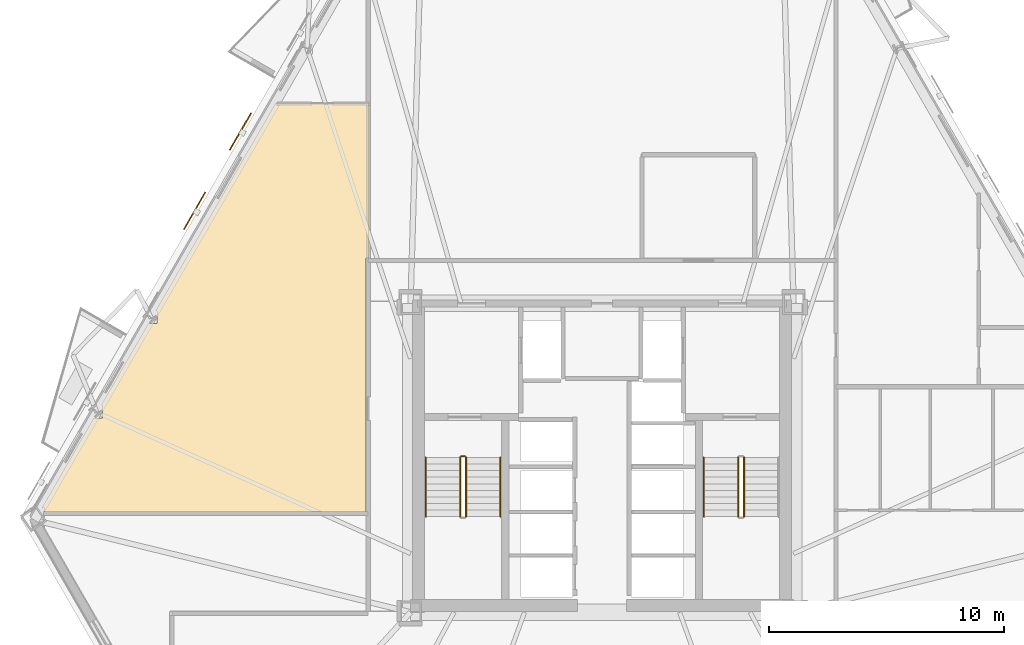
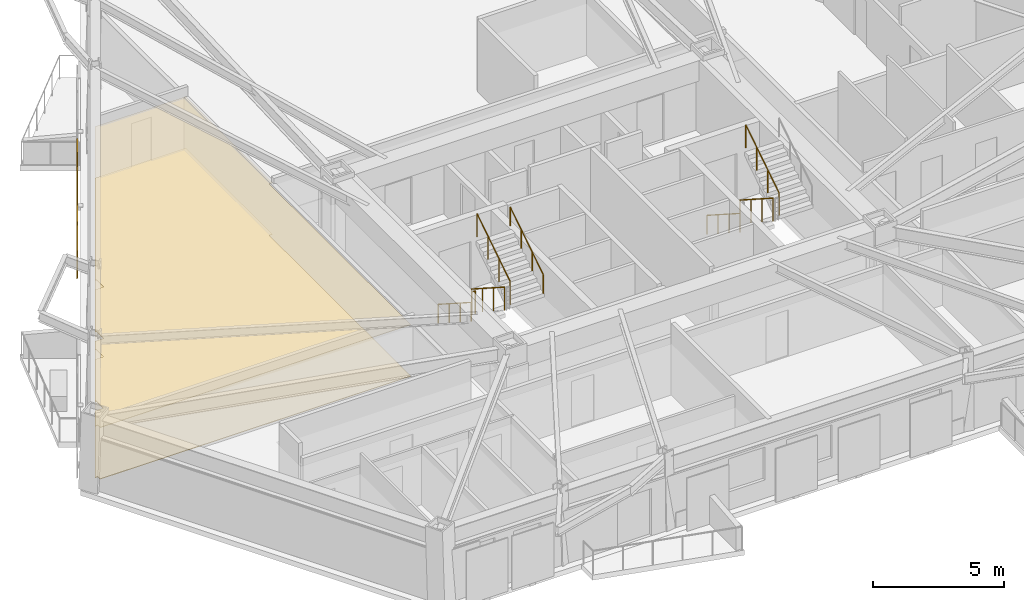
# One storey, part 11 of 13: 8 railings, 2 coverings, 2 shading devices.
"""IFC4 building model written with IfcOpenShell, lengths in metres."""

import ifcopenshell
import ifcopenshell.guid

model = None  # the IFC model being written
_history = None  # IfcOwnerHistory: only IFC2X3 demands one
_inside = {}  # id of a spatial element -> (the spatial element, [elements in it])
_under = {}  # id of a project, library or spatial element -> (it, [spatial elements below it])
_declared = {}  # id of a project -> (the project, [libraries it declares])
_typed = {}  # id of a type object -> (the type object, [elements of that type])
_made_of = {}  # id of a material, layer set ... -> (it, [elements and type objects made of it])


def new_model(schema):
    """Start an empty IFC model of exactly this schema.

    Asked for "IFC4X3", IfcOpenShell would pick the latest addendum, in which some entities
    have other attributes; the version numbers below select the first issue.
    IFC2X3 requires an IfcOwnerHistory on every rooted entity: one is made here for all.
    """
    global model, _history
    if schema == "IFC4X3":
        model = ifcopenshell.file(schema_version=(4, 3, 0, 0))
    else:
        model = ifcopenshell.file(schema=schema)
    _inside.clear()
    _under.clear()
    _declared.clear()
    _typed.clear()
    _made_of.clear()
    _history = None
    if model.schema == "IFC2X3":
        org = make("IfcOrganization", Name="unknown")
        user = make(
            "IfcPersonAndOrganization",
            ThePerson=make("IfcPerson", FamilyName="unknown"),
            TheOrganization=org,
        )
        app = make(
            "IfcApplication",
            ApplicationDeveloper=org,
            Version="unknown",
            ApplicationFullName="unknown",
            ApplicationIdentifier="unknown",
        )
        _history = make(
            "IfcOwnerHistory",
            OwningUser=user,
            OwningApplication=app,
            ChangeAction="ADDED",
            CreationDate=0,
        )
    return model


def make(cls, **values):
    """One entity of the class cls with the attributes given. An attribute that is None is left unset."""
    return model.create_entity(
        cls, **{name: value for name, value in values.items() if value is not None}
    )


def rooted(cls, **values):
    """An entity with a GlobalId (a new one), such as an element, a storey or a relation."""
    return make(cls, GlobalId=ifcopenshell.guid.new(), OwnerHistory=_history, **values)


def si_unit(unit_type, name, prefix=None):
    """IfcSIUnit, for example si_unit("LENGTHUNIT", "METRE", prefix="MILLI")."""
    return make("IfcSIUnit", UnitType=unit_type, Prefix=prefix, Name=name)


def assignment(units):
    """IfcUnitAssignment: the units of a project."""
    return None if units is None else make("IfcUnitAssignment", Units=units)


def point(xyz):
    """IfcCartesianPoint."""
    return None if xyz is None else make("IfcCartesianPoint", Coordinates=xyz)


def direction(xyz):
    """IfcDirection."""
    return None if xyz is None else make("IfcDirection", DirectionRatios=xyz)


def frame(location, z_axis=None, x_axis=None):
    """IfcAxis2Placement3D, a coordinate frame: its origin and axes. An axis left out is left unset."""
    return make(
        "IfcAxis2Placement3D",
        Location=point(location),
        Axis=direction(z_axis),
        RefDirection=direction(x_axis),
    )


def frame_2d(location, x_axis=None):
    """IfcAxis2Placement2D, a coordinate frame in the plane: its origin and x axis."""
    return make(
        "IfcAxis2Placement2D", Location=point(location), RefDirection=direction(x_axis)
    )


def origin():
    """The frame at (0, 0, 0) with its axes left unset."""
    return frame((0.0, 0.0, 0.0))


def origin_2d():
    """The frame at (0, 0) in the plane with its x axis left unset."""
    return frame_2d((0.0, 0.0))


def place(relative_to, where):
    """IfcLocalPlacement: puts the frame where relative to a parent placement (None: the world)."""
    return make(
        "IfcLocalPlacement", PlacementRelTo=relative_to, RelativePlacement=where
    )


def context(
    kind, dimensions, precision=None, world=None, true_north=None, identifier=None
):
    """IfcGeometricRepresentationContext, for example the 3D "Model" context."""
    return make(
        "IfcGeometricRepresentationContext",
        ContextIdentifier=identifier,
        ContextType=kind,
        CoordinateSpaceDimension=dimensions,
        Precision=precision,
        WorldCoordinateSystem=world,
        TrueNorth=true_north,
    )


def subcontext(parent, identifier, kind, view, scale=None):
    """IfcGeometricRepresentationSubContext, for example "Body" below "Model"."""
    return make(
        "IfcGeometricRepresentationSubContext",
        ContextIdentifier=identifier,
        ContextType=kind,
        ParentContext=parent,
        TargetScale=scale,
        TargetView=view,
    )


def project(units=None, contexts=None):
    """IfcProject with its units and contexts."""
    return rooted(
        "IfcProject",
        Name="project",
        RepresentationContexts=contexts,
        UnitsInContext=assignment(units),
    )


def spatial(cls, under=None, at=None, **own):
    """A site, building, storey or space (cls), placed at a placement, below another one or the project."""
    s = rooted(cls, ObjectPlacement=at, **own)
    if under is not None:
        _under.setdefault(under.id(), (under, []))[1].append(s)
    return s


def polyline(points):
    """IfcPolyline through the points."""
    return make("IfcPolyline", Points=[point(p) for p in points])


def profile(cls, at=None, kind="AREA", **sizes):
    """A parametric profile (cls). Its sizes go by their IFC names, for example OverallWidth=200.0."""
    return make(cls, ProfileType=kind, Position=at, **sizes)


def rectangle(**sizes):
    """IfcRectangleProfileDef."""
    return profile("IfcRectangleProfileDef", **sizes)


def circle(**sizes):
    """IfcCircleProfileDef."""
    return profile("IfcCircleProfileDef", **sizes)


def outline(outer, holes=None, kind="AREA"):
    """IfcArbitraryClosedProfileDef: a profile drawn as a closed curve; with holes, ...WithVoids."""
    if holes is None:
        return make("IfcArbitraryClosedProfileDef", ProfileType=kind, OuterCurve=outer)
    return make(
        "IfcArbitraryProfileDefWithVoids",
        ProfileType=kind,
        OuterCurve=outer,
        InnerCurves=holes,
    )


def extrude(swept, where, along, depth):
    """IfcExtrudedAreaSolid: the profile swept, set in the frame where, extruded along a direction by depth."""
    return make(
        "IfcExtrudedAreaSolid",
        SweptArea=swept,
        Position=where,
        ExtrudedDirection=direction(along),
        Depth=depth,
    )


def shape(context_of_items, identifier, shape_type, items):
    """IfcShapeRepresentation: the items that make up one representation, for example the "Body"."""
    return make(
        "IfcShapeRepresentation",
        ContextOfItems=context_of_items,
        RepresentationIdentifier=identifier,
        RepresentationType=shape_type,
        Items=items,
    )


def material(Name=None, Category=None):
    """IfcMaterial."""
    return make("IfcMaterial", Name=Name, Category=Category)


def layer(
    of_material, thickness, ventilated=None, Name=None, Category=None, Priority=None
):
    """IfcMaterialLayer: one layer of a wall or slab, of a material (None: an air gap)."""
    return make(
        "IfcMaterialLayer",
        Material=of_material,
        LayerThickness=thickness,
        IsVentilated=ventilated,
        Name=Name,
        Category=Category,
        Priority=Priority,
    )


def layer_set(layers, Name=None):
    """IfcMaterialLayerSet."""
    return make("IfcMaterialLayerSet", MaterialLayers=layers, LayerSetName=Name)


def made_of(thing, what):
    """Note that an element or type object is made of a material, layer set ...; save() writes the relation."""
    if what is not None:
        _made_of.setdefault(what.id(), (what, []))[1].append(thing)
    return thing


def type_object(cls, material=None, **own):
    """A type object (cls), such as IfcWallType, which elements share."""
    return made_of(rooted(cls, **own), material)


def element(
    cls,
    number,
    at=None,
    inside=None,
    cuts=None,
    type_object=None,
    material=None,
    context=None,
    identifier="Body",
    shape_type=None,
    held_by="IfcProductDefinitionShape",
    body=None,
    shapes=None,
    **own,
):
    """One element of the class cls, such as IfcWall. Its Tag is "e" and its number.

    at: its placement. inside: the storey or other place that contains it. cuts: it is an
    opening in that element (IfcRelVoidsElement). A single representation is given by context,
    identifier, shape_type and body (its items); several are given by shapes. held_by: the class
    of the entity that holds the representations. save() writes the other relations.
    """
    e = rooted(cls, Tag="e%d" % number, ObjectPlacement=at, **own)
    if body is not None:
        shapes = [shape(context, identifier, shape_type, body)]
    if shapes is not None:
        e.Representation = make(held_by, Representations=shapes)
    if inside is not None:
        _inside.setdefault(inside.id(), (inside, []))[1].append(e)
    if cuts is not None:
        rooted(
            "IfcRelVoidsElement", RelatingBuildingElement=cuts, RelatedOpeningElement=e
        )
    if type_object is not None:
        _typed.setdefault(type_object.id(), (type_object, []))[1].append(e)
    return made_of(e, material)


def aggregate(whole, parts):
    """IfcRelAggregates: a whole, such as a stair, and the parts it consists of."""
    return rooted("IfcRelAggregates", RelatingObject=whole, RelatedObjects=parts)


def save(model, path):
    """Write the relations noted so far, then the file.

    IfcRelAggregates (storeys below a building ...), IfcRelContainedInSpatialStructure (elements
    in a storey), IfcRelDefinesByType, IfcRelAssociatesMaterial and IfcRelDeclares: one each for
    every whole, place, type object, material and project.
    """
    for whole, parts in _under.values():
        aggregate(whole, parts)
    for where, things in _inside.values():
        rooted(
            "IfcRelContainedInSpatialStructure",
            RelatedElements=things,
            RelatingStructure=where,
        )
    for kind, things in _typed.values():
        rooted("IfcRelDefinesByType", RelatedObjects=things, RelatingType=kind)
    for what, things in _made_of.values():
        rooted("IfcRelAssociatesMaterial", RelatedObjects=things, RelatingMaterial=what)
    for by, libraries in _declared.values():
        rooted("IfcRelDeclares", RelatingContext=by, RelatedDefinitions=libraries)
    model.write(path)


model = new_model("IFC4")

# Units and contexts
model_context = context("Model", 3, precision=1e-05, world=origin(), true_north=direction((0.0, 1.0)))
body_context = subcontext(model_context, "Body", "Model", "MODEL_VIEW")
ifc_project = project(units=[si_unit("LENGTHUNIT", "METRE"), si_unit("AREAUNIT", "SQUARE_METRE"), si_unit("VOLUMEUNIT", "CUBIC_METRE"), si_unit("PLANEANGLEUNIT", "RADIAN"), si_unit("MASSUNIT", "GRAM", prefix="KILO")], contexts=[model_context])

# Site, building, storey
site_placement = place(None, origin())
site = spatial("IfcSite", under=ifc_project, at=site_placement, CompositionType="ELEMENT")
building_placement = place(site_placement, origin())
building = spatial("IfcBuilding", under=site, at=building_placement, Name="Oramaril Tower", CompositionType="ELEMENT")
storey_placement = place(building_placement, frame((0.0, 0.0, 38.10009765625)))
storey = spatial("IfcBuildingStorey", under=building, at=storey_placement, Name="L09", CompositionType="ELEMENT", Elevation=38.10009765625)

# Coverings
ifc_material_1 = material(Name="Mineral Fibre Acoustic Ceiling")
ifc_layer_1 = layer(ifc_material_1, 0.02001953125)
ifc_layer_set_1 = layer_set([ifc_layer_1], Name="CVT-CEIL")
covering_type_1 = type_object("IfcCoveringType", Name="CVT-CEIL", PredefinedType="CEILING", material=ifc_layer_set_1)
covering_1_placement = place(storey_placement, frame((0.0, 0.0, 2.39990234375)))
element("IfcCovering", 1, at=covering_1_placement, inside=storey, type_object=covering_type_1, Name="L09 Acoustic Suspended Ceiling 15", PredefinedType="CEILING", context=body_context, shape_type="SweptSolid", body=[
    extrude(outline(polyline([(13.771484375, 15.43408203125), (13.654296875, 15.43408203125), (15.87060546875, 19.273193359375), (16.238037109375, 19.273193359375), (16.238037109375, 19.826904296875), (16.1904296875, 19.826904296875), (18.18896484375, 23.28857421875), (18.556396484375, 23.28857421875), (18.556396484375, 23.83056640625), (18.501953125, 23.83056640625), (23.610595703125, 32.67919921875), (27.592041015625, 32.67919921875), (27.592041015625, 26.070068359375), (27.469970703125, 26.070068359375), (27.468017578125, 26.06982421875), (27.466064453125, 26.069580078125), (27.464111328125, 26.069091796875), (27.46240234375, 26.068603515625), (27.460693359375, 26.067626953125), (27.458984375, 26.066650390625), (27.457275390625, 26.0654296875), (27.455810546875, 26.064208984375), (27.45458984375, 26.062744140625), (27.453369140625, 26.06103515625), (27.452392578125, 26.059326171875), (27.451416015625, 26.0576171875), (27.450927734375, 26.055908203125), (27.450439453125, 26.053955078125), (27.4501953125, 26.052001953125), (27.449951171875, 26.050048828125), (27.449951171875, 24.239990234375), (27.4501953125, 24.238037109375), (27.450439453125, 24.236083984375), (27.450927734375, 24.234130859375), (27.451416015625, 24.232421875), (27.452392578125, 24.230712890625), (27.45263671875, 24.22998046875), (27.452392578125, 24.2294921875), (27.451416015625, 24.227783203125), (27.450927734375, 24.225830078125), (27.450439453125, 24.223876953125), (27.4501953125, 24.221923828125), (27.449951171875, 24.219970703125), (27.449951171875, 15.261962890625), (13.771484375, 15.261962890625), (13.771484375, 15.43408203125)])), origin(), (0.0, 0.0, 1.0), 0.02001953125),
])
ifc_material_2 = material(Name="Honed Quartzite Stone Flooring", Category="masonry")
ifc_layer_2 = layer(ifc_material_2, 0.02490234375)
ifc_layer_set_2 = layer_set([ifc_layer_2], Name="CVT-FLR")
covering_type_2 = type_object("IfcCoveringType", Name="CVT-FLR", PredefinedType="FLOORING", material=ifc_layer_set_2)
covering_2_placement = place(storey_placement, origin())
element("IfcCovering", 2, at=covering_2_placement, inside=storey, type_object=covering_type_2, Name="L09 Honed Stone Floor Finish 15", PredefinedType="FLOORING", context=body_context, shape_type="SweptSolid", body=[
    extrude(outline(polyline([(13.771484375, 15.43408203125), (13.654296875, 15.43408203125), (15.87060546875, 19.273193359375), (16.238037109375, 19.273193359375), (16.238037109375, 19.826904296875), (16.1904296875, 19.826904296875), (18.18896484375, 23.28857421875), (18.556396484375, 23.28857421875), (18.556396484375, 23.83056640625), (18.501953125, 23.83056640625), (23.610595703125, 32.67919921875), (27.592041015625, 32.67919921875), (27.592041015625, 26.070068359375), (27.469970703125, 26.070068359375), (27.468017578125, 26.06982421875), (27.466064453125, 26.069580078125), (27.464111328125, 26.069091796875), (27.46240234375, 26.068603515625), (27.460693359375, 26.067626953125), (27.458984375, 26.066650390625), (27.457275390625, 26.0654296875), (27.455810546875, 26.064208984375), (27.45458984375, 26.062744140625), (27.453369140625, 26.06103515625), (27.452392578125, 26.059326171875), (27.451416015625, 26.0576171875), (27.450927734375, 26.055908203125), (27.450439453125, 26.053955078125), (27.4501953125, 26.052001953125), (27.449951171875, 26.050048828125), (27.449951171875, 24.239990234375), (27.4501953125, 24.238037109375), (27.450439453125, 24.236083984375), (27.450927734375, 24.234130859375), (27.451416015625, 24.232421875), (27.452392578125, 24.230712890625), (27.45263671875, 24.22998046875), (27.452392578125, 24.2294921875), (27.451416015625, 24.227783203125), (27.450927734375, 24.225830078125), (27.450439453125, 24.223876953125), (27.4501953125, 24.221923828125), (27.449951171875, 24.219970703125), (27.449951171875, 15.261962890625), (13.771484375, 15.261962890625), (13.771484375, 15.43408203125)])), origin(), (0.0, 0.0, 1.0), 0.02490234375),
])

# Railings
ifc_material_3 = material(Name="Stainless Steel 316L", Category="steel")
railing_type_1 = type_object("IfcRailingType", Name="RLT-GRD", PredefinedType="GUARDRAIL", material=ifc_material_3)
railing_1_placement = place(storey_placement, frame((31.4599609375, 17.590087890625, 0.179931640625)))
element("IfcRailing", 3, at=railing_1_placement, inside=storey, type_object=railing_type_1, Name="L09 ST-1 stair guard 1", PredefinedType="GUARDRAIL", context=body_context, shape_type="SweptSolid", body=[
    extrude(circle(Radius=0.02392578125, at=origin_2d()), frame((0.0, 0.0, 1.076171875), z_axis=(0.0, -0.841199657755, 0.540724639528), x_axis=(1.0, 0.0, 0.0)), (0.0, 0.0, 1.0), 2.995849609375),
    extrude(circle(Radius=0.02099609375, at=origin_2d()), origin(), (0.0, 0.0, 1.0), 1.052001953125),
    extrude(circle(Radius=0.02099609375, at=origin_2d()), frame((0.0, -0.840087890625, 0.5400390625)), (0.0, 0.0, 1.0), 1.052001953125),
    extrude(circle(Radius=0.02099609375, at=origin_2d()), frame((0.0, -1.679931640625, 1.079833984375)), (0.0, 0.0, 1.0), 1.052001953125),
    extrude(circle(Radius=0.02099609375, at=origin_2d()), frame((0.0, -2.52001953125, 1.619873046875)), (0.0, 0.0, 1.0), 1.052001953125),
])
railing_2_placement = place(storey_placement, frame((31.7099609375, 15.070068359375, 1.97998046875)))
element("IfcRailing", 4, at=railing_2_placement, inside=storey, type_object=railing_type_1, Name="L09 ST-1 stair guard 3", PredefinedType="GUARDRAIL", context=body_context, shape_type="SweptSolid", body=[
    extrude(circle(Radius=0.02392578125, at=origin_2d()), frame((0.0, 0.0, 1.076171875), z_axis=(0.0, 0.841199657755, 0.540724639528), x_axis=(-1.0, 0.0, 0.0)), (0.0, 0.0, 1.0), 2.995849609375),
    extrude(circle(Radius=0.02099609375, at=origin_2d()), origin(), (0.0, 0.0, 1.0), 1.052001953125),
    extrude(circle(Radius=0.02099609375, at=origin_2d()), frame((0.0, 0.840087890625, 0.5400390625)), (0.0, 0.0, 1.0), 1.052001953125),
    extrude(circle(Radius=0.02099609375, at=origin_2d()), frame((0.0, 1.679931640625, 1.079833984375)), (0.0, 0.0, 1.0), 1.052001953125),
    extrude(circle(Radius=0.02099609375, at=origin_2d()), frame((0.0, 2.52001953125, 1.619873046875)), (0.0, 0.0, 1.0), 1.052001953125),
])
railing_3_placement = place(storey_placement, frame((31.510009765625, 17.639892578125, 0.0)))
element("IfcRailing", 5, at=railing_3_placement, inside=storey, type_object=railing_type_1, Name="L09 ST-1 stair guard 4", PredefinedType="GUARDRAIL", context=body_context, shape_type="SweptSolid", body=[
    extrude(circle(Radius=0.02392578125, at=origin_2d()), frame((0.0, 0.0, 1.076171875), z_axis=(1.0, 0.0, 0.0), x_axis=(0.0, 1.0, 0.0)), (0.0, 0.0, 1.0), 0.14990234375),
    extrude(circle(Radius=0.02099609375, at=origin_2d()), origin(), (0.0, 0.0, 1.0), 1.052001953125),
    extrude(circle(Radius=0.02099609375, at=origin_2d()), frame((0.14990234375, 0.0, 0.0)), (0.0, 0.0, 1.0), 1.052001953125),
])
railing_4_placement = place(storey_placement, frame((43.2900390625, 17.590087890625, 0.179931640625)))
element("IfcRailing", 6, at=railing_4_placement, inside=storey, type_object=railing_type_1, Name="L09 ST-2 stair guard 1", PredefinedType="GUARDRAIL", context=body_context, shape_type="SweptSolid", body=[
    extrude(circle(Radius=0.02392578125, at=origin_2d()), frame((0.0, 0.0, 1.076171875), z_axis=(0.0, -0.841199657755, 0.540724639528), x_axis=(1.0, 0.0, 0.0)), (0.0, 0.0, 1.0), 2.995849609375),
    extrude(circle(Radius=0.02099609375, at=origin_2d()), origin(), (0.0, 0.0, 1.0), 1.052001953125),
    extrude(circle(Radius=0.02099609375, at=origin_2d()), frame((0.0, -0.840087890625, 0.5400390625)), (0.0, 0.0, 1.0), 1.052001953125),
    extrude(circle(Radius=0.02099609375, at=origin_2d()), frame((0.0, -1.679931640625, 1.079833984375)), (0.0, 0.0, 1.0), 1.052001953125),
    extrude(circle(Radius=0.02099609375, at=origin_2d()), frame((0.0, -2.52001953125, 1.619873046875)), (0.0, 0.0, 1.0), 1.052001953125),
])
railing_5_placement = place(storey_placement, frame((43.5400390625, 15.070068359375, 1.97998046875)))
element("IfcRailing", 7, at=railing_5_placement, inside=storey, type_object=railing_type_1, Name="L09 ST-2 stair guard 3", PredefinedType="GUARDRAIL", context=body_context, shape_type="SweptSolid", body=[
    extrude(circle(Radius=0.02392578125, at=origin_2d()), frame((0.0, 0.0, 1.076171875), z_axis=(0.0, 0.841199657755, 0.540724639528), x_axis=(-1.0, 0.0, 0.0)), (0.0, 0.0, 1.0), 2.995849609375),
    extrude(circle(Radius=0.02099609375, at=origin_2d()), origin(), (0.0, 0.0, 1.0), 1.052001953125),
    extrude(circle(Radius=0.02099609375, at=origin_2d()), frame((0.0, 0.840087890625, 0.5400390625)), (0.0, 0.0, 1.0), 1.052001953125),
    extrude(circle(Radius=0.02099609375, at=origin_2d()), frame((0.0, 1.679931640625, 1.079833984375)), (0.0, 0.0, 1.0), 1.052001953125),
    extrude(circle(Radius=0.02099609375, at=origin_2d()), frame((0.0, 2.52001953125, 1.619873046875)), (0.0, 0.0, 1.0), 1.052001953125),
])
ifc_material_4 = material(Name="Stainless Steel 316L", Category="steel")
railing_type_2 = type_object("IfcRailingType", Name="RLT-HND", PredefinedType="HANDRAIL", material=ifc_material_4)
railing_6_placement = place(storey_placement, frame((30.0, 17.590087890625, 0.179931640625)))
element("IfcRailing", 8, at=railing_6_placement, inside=storey, type_object=railing_type_2, Name="L09 ST-1 stair handrail 1", PredefinedType="HANDRAIL", context=body_context, shape_type="SweptSolid", body=[
    extrude(circle(Radius=0.02392578125, at=origin_2d()), frame((0.0, 0.0, 0.8759765625), z_axis=(0.0, -0.841199657755, 0.540724639528), x_axis=(1.0, 0.0, 0.0)), (0.0, 0.0, 1.0), 2.995849609375),
    extrude(circle(Radius=0.02099609375, at=origin_2d()), origin(), (0.0, 0.0, 1.0), 0.851806640625),
    extrude(circle(Radius=0.02099609375, at=origin_2d()), frame((0.0, -0.840087890625, 0.5400390625)), (0.0, 0.0, 1.0), 0.851806640625),
    extrude(circle(Radius=0.02099609375, at=origin_2d()), frame((0.0, -1.679931640625, 1.079833984375)), (0.0, 0.0, 1.0), 0.851806640625),
    extrude(circle(Radius=0.02099609375, at=origin_2d()), frame((0.0, -2.52001953125, 1.619873046875)), (0.0, 0.0, 1.0), 0.851806640625),
])
railing_7_placement = place(storey_placement, frame((33.169921875, 15.070068359375, 1.97998046875)))
element("IfcRailing", 9, at=railing_7_placement, inside=storey, type_object=railing_type_2, Name="L09 ST-1 stair handrail 2", PredefinedType="HANDRAIL", context=body_context, shape_type="SweptSolid", body=[
    extrude(circle(Radius=0.02392578125, at=origin_2d()), frame((0.0, 0.0, 0.8759765625), z_axis=(0.0, 0.841199657755, 0.540724639528), x_axis=(-1.0, 0.0, 0.0)), (0.0, 0.0, 1.0), 2.995849609375),
    extrude(circle(Radius=0.02099609375, at=origin_2d()), origin(), (0.0, 0.0, 1.0), 0.851806640625),
    extrude(circle(Radius=0.02099609375, at=origin_2d()), frame((0.0, 0.840087890625, 0.5400390625)), (0.0, 0.0, 1.0), 0.851806640625),
    extrude(circle(Radius=0.02099609375, at=origin_2d()), frame((0.0, 1.679931640625, 1.079833984375)), (0.0, 0.0, 1.0), 0.851806640625),
    extrude(circle(Radius=0.02099609375, at=origin_2d()), frame((0.0, 2.52001953125, 1.619873046875)), (0.0, 0.0, 1.0), 0.851806640625),
])
railing_8_placement = place(storey_placement, frame((41.830078125, 17.590087890625, 0.179931640625)))
element("IfcRailing", 10, at=railing_8_placement, inside=storey, type_object=railing_type_2, Name="L09 ST-2 stair handrail 1", PredefinedType="HANDRAIL", context=body_context, shape_type="SweptSolid", body=[
    extrude(circle(Radius=0.02392578125, at=origin_2d()), frame((0.0, 0.0, 0.8759765625), z_axis=(0.0, -0.841199657755, 0.540724639528), x_axis=(1.0, 0.0, 0.0)), (0.0, 0.0, 1.0), 2.995849609375),
    extrude(circle(Radius=0.02099609375, at=origin_2d()), origin(), (0.0, 0.0, 1.0), 0.851806640625),
    extrude(circle(Radius=0.02099609375, at=origin_2d()), frame((0.0, -0.840087890625, 0.5400390625)), (0.0, 0.0, 1.0), 0.851806640625),
    extrude(circle(Radius=0.02099609375, at=origin_2d()), frame((0.0, -1.679931640625, 1.079833984375)), (0.0, 0.0, 1.0), 0.851806640625),
    extrude(circle(Radius=0.02099609375, at=origin_2d()), frame((0.0, -2.52001953125, 1.619873046875)), (0.0, 0.0, 1.0), 0.851806640625),
])

# Shading devices
for number, where, z_axis, x_axis, name in (
    (11, (22.11279296875, 31.4609375, -0.02001953125), (0.0, 0.0, 1.0), (-0.4999984885, -0.866026276448, 0.0), "L09 Perforated Ceramic Solar Screen"),
    (12, (20.162841796875, 28.08349609375, -0.02001953125), (0.0, 0.0, 1.0), (-0.4999984885, -0.866026276448, 0.0), "L09 Perforated Ceramic Solar Screen"),
):
    element("IfcShadingDevice", number, at=place(storey_placement, frame(where, z_axis=z_axis, x_axis=x_axis)), inside=storey, Name=name, ObjectType="SCREEN", PredefinedType="USERDEFINED", context=body_context, shape_type="SweptSolid", body=[
        extrude(rectangle(XDim=1.8330078125, YDim=0.050048828125, at=origin_2d()), origin(), (0.0, 0.0, 1.0), 2.493896484375),
    ])

save(model, "model.ifc")
